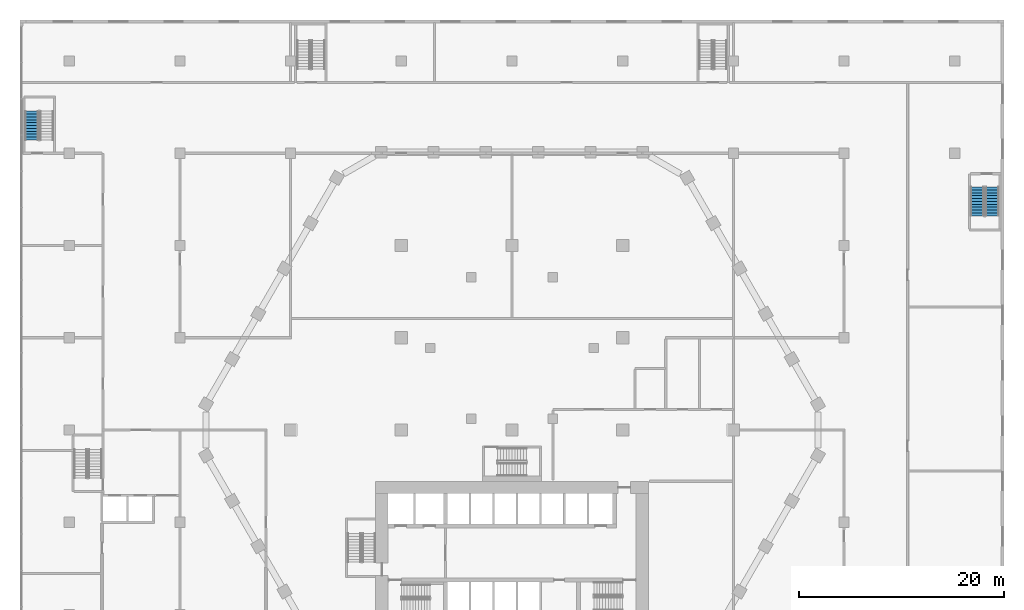
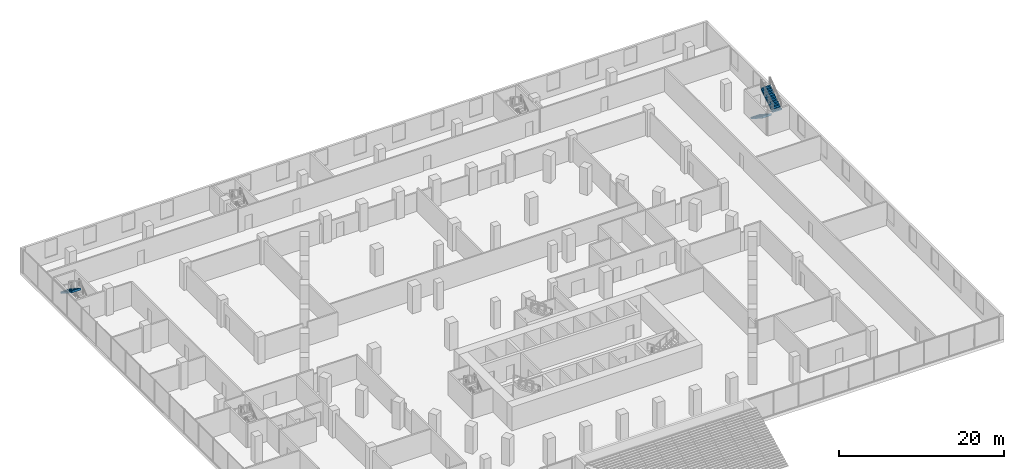
# One storey, part 36 of 45: 3 stair flights, 2 elements without a shape of their own.
"""IFC4 building model written with IfcOpenShell, lengths in metres."""

from ifc_helpers import new_model, si_unit, direction, frame, origin, place, context, subcontext, project, spatial, triangles, material, type_object, element, aggregate, save


model = new_model("IFC4")

# Units and contexts
model_context = context("Model", 3, precision=1e-05, world=origin(), true_north=direction((0.0, 1.0)))
body_context = subcontext(model_context, "Body", "Model", "MODEL_VIEW")
ifc_project = project(units=[si_unit("LENGTHUNIT", "METRE"), si_unit("AREAUNIT", "SQUARE_METRE"), si_unit("VOLUMEUNIT", "CUBIC_METRE"), si_unit("PLANEANGLEUNIT", "RADIAN"), si_unit("MASSUNIT", "GRAM", prefix="KILO")], contexts=[model_context])

# Site, building, storey
site_placement = place(None, origin())
site = spatial("IfcSite", under=ifc_project, at=site_placement, CompositionType="ELEMENT")
building_placement = place(site_placement, origin())
building = spatial("IfcBuilding", under=site, at=building_placement, Name="Beryl Residences", CompositionType="ELEMENT")
storey_placement = place(building_placement, frame((0.0, 0.0, 5.0)))
storey = spatial("IfcBuildingStorey", under=building, at=storey_placement, Name="L01", CompositionType="ELEMENT", Elevation=5.0)

# Stair, stair flight
ifc_material_1 = material(Name="Concrete C40/50", Category="concrete")
stair_type = type_object("IfcStairType", Name="ST1 protected exit stair, half-turn, 1300 mm flights", PredefinedType="HALF_TURN_STAIR", material=ifc_material_1)
stair_1_placement = place(storey_placement, origin())
stair_1 = element("IfcStair", 1, at=stair_1_placement, inside=storey, type_object=stair_type, Name="L01 Podium exit stair 3", PredefinedType="HALF_TURN_STAIR")
ifc_material_2 = material(Name="Concrete C40/50", Category="concrete")
stair_flight_type = type_object("IfcStairFlightType", Name="SF1 stair flight 1300 mm", PredefinedType="STRAIGHT", material=ifc_material_2)
stair_flight_1_placement = place(storey_placement, frame((-46.85009765625, 31.10009765625, 2.0), z_axis=(0.0, 0.0, 1.0), x_axis=(0.0, -1.0, 0.0)))
stair_flight_1 = element("IfcStairFlight", 2, at=stair_flight_1_placement, type_object=stair_flight_type, Name="PS-3 flight 2", NumberOfRisers=11, NumberOfTreads=10, PredefinedType="STRAIGHT", RiserHeight=0.181818182, TreadLength=0.28, context=body_context, shape_type="Tessellation", body=[
    triangles([(0.0, -0.64990234375, 0.0), (0.0, -0.324951171875, 0.0), (0.0, 0.0, 0.0), (0.0, 0.324951171875, 0.0), (0.0, 0.64990234375, 0.0), (0.0, -0.64990234375, 0.181884765625), (0.0, -0.324951171875, 0.181884765625), (0.0, 0.0, 0.181884765625), (0.0, 0.324951171875, 0.181884765625), (0.0, 0.64990234375, 0.181884765625), (0.280029296875, -0.64990234375, 0.181884765625), (0.280029296875, -0.324951171875, 0.181884765625), (0.280029296875, 0.0, 0.181884765625), (0.280029296875, 0.324951171875, 0.181884765625), (0.280029296875, 0.64990234375, 0.181884765625), (0.280029296875, -0.64990234375, 0.363525390625), (0.280029296875, -0.324951171875, 0.363525390625), (0.280029296875, 0.0, 0.363525390625), (0.280029296875, 0.324951171875, 0.363525390625), (0.280029296875, 0.64990234375, 0.363525390625), (0.56005859375, -0.64990234375, 0.363525390625), (0.56005859375, -0.324951171875, 0.363525390625), (0.56005859375, 0.0, 0.363525390625), (0.56005859375, 0.324951171875, 0.363525390625), (0.56005859375, 0.64990234375, 0.363525390625), (0.56005859375, -0.64990234375, 0.54541015625), (0.56005859375, -0.324951171875, 0.54541015625), (0.56005859375, 0.0, 0.54541015625), (0.56005859375, 0.324951171875, 0.54541015625), (0.56005859375, 0.64990234375, 0.54541015625), (0.840087890625, -0.64990234375, 0.54541015625), (0.840087890625, -0.324951171875, 0.54541015625), (0.840087890625, 0.0, 0.54541015625), (0.840087890625, 0.324951171875, 0.54541015625), (0.840087890625, 0.64990234375, 0.54541015625), (0.840087890625, -0.64990234375, 0.727294921875), (0.840087890625, -0.324951171875, 0.727294921875), (0.840087890625, 0.0, 0.727294921875), (0.840087890625, 0.324951171875, 0.727294921875), (0.840087890625, 0.64990234375, 0.727294921875), (1.1201171875, -0.64990234375, 0.727294921875), (1.1201171875, -0.324951171875, 0.727294921875), (1.1201171875, 0.0, 0.727294921875), (1.1201171875, 0.324951171875, 0.727294921875), (1.1201171875, 0.64990234375, 0.727294921875), (1.1201171875, -0.64990234375, 0.9091796875), (1.1201171875, -0.324951171875, 0.9091796875), (1.1201171875, 0.0, 0.9091796875), (1.1201171875, 0.324951171875, 0.9091796875), (1.1201171875, 0.64990234375, 0.9091796875), (1.39990234375, -0.64990234375, 0.9091796875), (1.39990234375, -0.324951171875, 0.9091796875), (1.39990234375, 0.0, 0.9091796875), (1.39990234375, 0.324951171875, 0.9091796875), (1.39990234375, 0.64990234375, 0.9091796875), (1.39990234375, -0.64990234375, 1.0908203125), (1.39990234375, -0.324951171875, 1.0908203125), (1.39990234375, 0.0, 1.0908203125), (1.39990234375, 0.324951171875, 1.0908203125), (1.39990234375, 0.64990234375, 1.0908203125), (1.679931640625, -0.64990234375, 1.0908203125), (1.679931640625, -0.324951171875, 1.0908203125), (1.679931640625, 0.0, 1.0908203125), (1.679931640625, 0.324951171875, 1.0908203125), (1.679931640625, 0.64990234375, 1.0908203125), (1.679931640625, -0.64990234375, 1.272705078125), (1.679931640625, -0.324951171875, 1.272705078125), (1.679931640625, 0.0, 1.272705078125), (1.679931640625, 0.324951171875, 1.272705078125), (1.679931640625, 0.64990234375, 1.272705078125), (1.9599609375, -0.64990234375, 1.272705078125), (1.9599609375, -0.324951171875, 1.272705078125), (1.9599609375, 0.0, 1.272705078125), (1.9599609375, 0.324951171875, 1.272705078125), (1.9599609375, 0.64990234375, 1.272705078125), (1.9599609375, -0.64990234375, 1.45458984375), (1.9599609375, -0.324951171875, 1.45458984375), (1.9599609375, 0.0, 1.45458984375), (1.9599609375, 0.324951171875, 1.45458984375), (1.9599609375, 0.64990234375, 1.45458984375), (2.239990234375, -0.64990234375, 1.45458984375), (2.239990234375, -0.324951171875, 1.45458984375), (2.239990234375, 0.0, 1.45458984375), (2.239990234375, 0.324951171875, 1.45458984375), (2.239990234375, 0.64990234375, 1.45458984375), (2.239990234375, -0.64990234375, 1.636474609375), (2.239990234375, -0.324951171875, 1.636474609375), (2.239990234375, 0.0, 1.636474609375), (2.239990234375, 0.324951171875, 1.636474609375), (2.239990234375, 0.64990234375, 1.636474609375), (2.52001953125, -0.64990234375, 1.636474609375), (2.52001953125, -0.324951171875, 1.636474609375), (2.52001953125, 0.0, 1.636474609375), (2.52001953125, 0.324951171875, 1.636474609375), (2.52001953125, 0.64990234375, 1.636474609375), (2.52001953125, -0.64990234375, 1.818115234375), (2.52001953125, -0.324951171875, 1.818115234375), (2.52001953125, 0.0, 1.818115234375), (2.52001953125, 0.324951171875, 1.818115234375), (2.52001953125, 0.64990234375, 1.818115234375), (2.800048828125, -0.64990234375, 1.818115234375), (2.800048828125, -0.324951171875, 1.818115234375), (2.800048828125, 0.0, 1.818115234375), (2.800048828125, 0.324951171875, 1.818115234375), (2.800048828125, 0.64990234375, 1.818115234375), (2.800048828125, -0.64990234375, 2.0), (2.800048828125, -0.324951171875, 2.0), (2.800048828125, 0.0, 2.0), (2.800048828125, 0.324951171875, 2.0), (2.800048828125, 0.64990234375, 2.0), (2.801025390625, -0.64990234375, 2.0), (2.801025390625, -0.324951171875, 2.0), (2.801025390625, 0.0, 2.0), (2.801025390625, 0.324951171875, 2.0), (2.801025390625, 0.64990234375, 2.0), (2.801025390625, -0.64990234375, 1.675048828125), (2.801025390625, -0.324951171875, 1.675048828125), (2.801025390625, 0.0, 1.675048828125), (2.801025390625, 0.324951171875, 1.675048828125), (2.801025390625, 0.64990234375, 1.675048828125), (0.221435546875, -0.64990234375, 0.0), (0.221435546875, -0.324951171875, 0.0), (0.221435546875, 0.0, 0.0), (0.221435546875, 0.324951171875, 0.0), (0.221435546875, 0.64990234375, 0.0)], [[1, 6, 7], [1, 7, 2], [2, 7, 8], [2, 8, 3], [3, 8, 9], [3, 9, 4], [4, 9, 10], [4, 10, 5], [6, 11, 12], [6, 12, 7], [7, 12, 13], [7, 13, 8], [8, 13, 14], [8, 14, 9], [9, 14, 15], [9, 15, 10], [11, 16, 17], [11, 17, 12], [12, 17, 18], [12, 18, 13], [13, 18, 19], [13, 19, 14], [14, 19, 20], [14, 20, 15], [16, 21, 22], [16, 22, 17], [17, 22, 23], [17, 23, 18], [18, 23, 24], [18, 24, 19], [19, 24, 25], [19, 25, 20], [21, 26, 27], [21, 27, 22], [22, 27, 28], [22, 28, 23], [23, 28, 29], [23, 29, 24], [24, 29, 30], [24, 30, 25], [26, 31, 32], [26, 32, 27], [27, 32, 33], [27, 33, 28], [28, 33, 34], [28, 34, 29], [29, 34, 35], [29, 35, 30], [31, 36, 37], [31, 37, 32], [32, 37, 38], [32, 38, 33], [33, 38, 39], [33, 39, 34], [34, 39, 40], [34, 40, 35], [36, 41, 42], [36, 42, 37], [37, 42, 43], [37, 43, 38], [38, 43, 44], [38, 44, 39], [39, 44, 45], [39, 45, 40], [41, 46, 47], [41, 47, 42], [42, 47, 48], [42, 48, 43], [43, 48, 49], [43, 49, 44], [44, 49, 50], [44, 50, 45], [46, 51, 52], [46, 52, 47], [47, 52, 53], [47, 53, 48], [48, 53, 54], [48, 54, 49], [49, 54, 55], [49, 55, 50], [51, 56, 57], [51, 57, 52], [52, 57, 58], [52, 58, 53], [53, 58, 59], [53, 59, 54], [54, 59, 60], [54, 60, 55], [56, 61, 62], [56, 62, 57], [57, 62, 63], [57, 63, 58], [58, 63, 64], [58, 64, 59], [59, 64, 65], [59, 65, 60], [61, 66, 67], [61, 67, 62], [62, 67, 68], [62, 68, 63], [63, 68, 69], [63, 69, 64], [64, 69, 70], [64, 70, 65], [66, 71, 72], [66, 72, 67], [67, 72, 73], [67, 73, 68], [68, 73, 74], [68, 74, 69], [69, 74, 75], [69, 75, 70], [71, 76, 77], [71, 77, 72], [72, 77, 78], [72, 78, 73], [73, 78, 79], [73, 79, 74], [74, 79, 80], [74, 80, 75], [76, 81, 82], [76, 82, 77], [77, 82, 83], [77, 83, 78], [78, 83, 84], [78, 84, 79], [79, 84, 85], [79, 85, 80], [81, 86, 87], [81, 87, 82], [82, 87, 88], [82, 88, 83], [83, 88, 89], [83, 89, 84], [84, 89, 90], [84, 90, 85], [86, 91, 92], [86, 92, 87], [87, 92, 93], [87, 93, 88], [88, 93, 94], [88, 94, 89], [89, 94, 95], [89, 95, 90], [91, 96, 97], [91, 97, 92], [92, 97, 98], [92, 98, 93], [93, 98, 99], [93, 99, 94], [94, 99, 100], [94, 100, 95], [96, 101, 102], [96, 102, 97], [97, 102, 103], [97, 103, 98], [98, 103, 104], [98, 104, 99], [99, 104, 105], [99, 105, 100], [101, 106, 107], [101, 107, 102], [102, 107, 108], [102, 108, 103], [103, 108, 109], [103, 109, 104], [104, 109, 110], [104, 110, 105], [106, 111, 112], [106, 112, 107], [107, 112, 113], [107, 113, 108], [108, 113, 114], [108, 114, 109], [109, 114, 115], [109, 115, 110], [111, 116, 117], [111, 117, 112], [112, 117, 118], [112, 118, 113], [113, 118, 119], [113, 119, 114], [114, 119, 120], [114, 120, 115], [116, 121, 122], [116, 122, 117], [117, 122, 123], [117, 123, 118], [118, 123, 124], [118, 124, 119], [119, 124, 125], [119, 125, 120], [121, 1, 2], [121, 2, 122], [122, 2, 3], [122, 3, 123], [123, 3, 4], [123, 4, 124], [124, 4, 5], [124, 5, 125], [1, 121, 116], [5, 120, 125], [116, 111, 106], [120, 110, 115], [116, 106, 101], [120, 105, 110], [116, 101, 96], [120, 100, 105], [116, 96, 91], [120, 95, 100], [91, 86, 81], [95, 85, 90], [116, 91, 81], [120, 85, 95], [81, 76, 71], [85, 75, 80], [116, 81, 71], [120, 75, 85], [71, 66, 61], [75, 65, 70], [116, 71, 61], [120, 65, 75], [61, 56, 51], [65, 55, 60], [116, 61, 51], [120, 55, 65], [51, 46, 41], [55, 45, 50], [116, 51, 41], [120, 45, 55], [41, 36, 31], [45, 35, 40], [116, 41, 31], [120, 35, 45], [31, 26, 21], [35, 25, 30], [116, 31, 21], [120, 25, 35], [1, 116, 21], [5, 25, 120], [21, 16, 11], [25, 15, 20], [1, 21, 11], [5, 15, 25], [11, 6, 1], [15, 5, 10]], closed=True),
])
aggregate(stair_1, [stair_flight_1])

# Stair, stair flights
stair_2_placement = place(storey_placement, origin())
stair_2 = element("IfcStair", 3, at=stair_2_placement, inside=storey, type_object=stair_type, Name="L01 Podium exit stair 5", PredefinedType="HALF_TURN_STAIR")
stair_flight_2_placement = place(storey_placement, frame((45.39990234375, 23.699951171875, 0.0), z_axis=(0.0, 0.0, 1.0), x_axis=(0.0, -1.0, 0.0)))
stair_flight_2 = element("IfcStairFlight", 4, at=stair_flight_2_placement, type_object=stair_flight_type, Name="PS-5 flight 1", NumberOfRisers=11, NumberOfTreads=10, PredefinedType="STRAIGHT", RiserHeight=0.181818182, TreadLength=0.28, context=body_context, shape_type="Tessellation", body=[
    triangles([(0.0, -0.64990234375, 0.0), (0.0, -0.324951171875, 0.0), (0.0, 0.0, 0.0), (0.0, 0.324951171875, 0.0), (0.0, 0.64990234375, 0.0), (0.0, -0.64990234375, 0.181884765625), (0.0, -0.324951171875, 0.181884765625), (0.0, 0.0, 0.181884765625), (0.0, 0.324951171875, 0.181884765625), (0.0, 0.64990234375, 0.181884765625), (0.280029296875, -0.64990234375, 0.181884765625), (0.280029296875, -0.324951171875, 0.181884765625), (0.280029296875, 0.0, 0.181884765625), (0.280029296875, 0.324951171875, 0.181884765625), (0.280029296875, 0.64990234375, 0.181884765625), (0.280029296875, -0.64990234375, 0.363525390625), (0.280029296875, -0.324951171875, 0.363525390625), (0.280029296875, 0.0, 0.363525390625), (0.280029296875, 0.324951171875, 0.363525390625), (0.280029296875, 0.64990234375, 0.363525390625), (0.56005859375, -0.64990234375, 0.363525390625), (0.56005859375, -0.324951171875, 0.363525390625), (0.56005859375, 0.0, 0.363525390625), (0.56005859375, 0.324951171875, 0.363525390625), (0.56005859375, 0.64990234375, 0.363525390625), (0.56005859375, -0.64990234375, 0.54541015625), (0.56005859375, -0.324951171875, 0.54541015625), (0.56005859375, 0.0, 0.54541015625), (0.56005859375, 0.324951171875, 0.54541015625), (0.56005859375, 0.64990234375, 0.54541015625), (0.840087890625, -0.64990234375, 0.54541015625), (0.840087890625, -0.324951171875, 0.54541015625), (0.840087890625, 0.0, 0.54541015625), (0.840087890625, 0.324951171875, 0.54541015625), (0.840087890625, 0.64990234375, 0.54541015625), (0.840087890625, -0.64990234375, 0.727294921875), (0.840087890625, -0.324951171875, 0.727294921875), (0.840087890625, 0.0, 0.727294921875), (0.840087890625, 0.324951171875, 0.727294921875), (0.840087890625, 0.64990234375, 0.727294921875), (1.1201171875, -0.64990234375, 0.727294921875), (1.1201171875, -0.324951171875, 0.727294921875), (1.1201171875, 0.0, 0.727294921875), (1.1201171875, 0.324951171875, 0.727294921875), (1.1201171875, 0.64990234375, 0.727294921875), (1.1201171875, -0.64990234375, 0.9091796875), (1.1201171875, -0.324951171875, 0.9091796875), (1.1201171875, 0.0, 0.9091796875), (1.1201171875, 0.324951171875, 0.9091796875), (1.1201171875, 0.64990234375, 0.9091796875), (1.39990234375, -0.64990234375, 0.9091796875), (1.39990234375, -0.324951171875, 0.9091796875), (1.39990234375, 0.0, 0.9091796875), (1.39990234375, 0.324951171875, 0.9091796875), (1.39990234375, 0.64990234375, 0.9091796875), (1.39990234375, -0.64990234375, 1.0908203125), (1.39990234375, -0.324951171875, 1.0908203125), (1.39990234375, 0.0, 1.0908203125), (1.39990234375, 0.324951171875, 1.0908203125), (1.39990234375, 0.64990234375, 1.0908203125), (1.679931640625, -0.64990234375, 1.0908203125), (1.679931640625, -0.324951171875, 1.0908203125), (1.679931640625, 0.0, 1.0908203125), (1.679931640625, 0.324951171875, 1.0908203125), (1.679931640625, 0.64990234375, 1.0908203125), (1.679931640625, -0.64990234375, 1.272705078125), (1.679931640625, -0.324951171875, 1.272705078125), (1.679931640625, 0.0, 1.272705078125), (1.679931640625, 0.324951171875, 1.272705078125), (1.679931640625, 0.64990234375, 1.272705078125), (1.9599609375, -0.64990234375, 1.272705078125), (1.9599609375, -0.324951171875, 1.272705078125), (1.9599609375, 0.0, 1.272705078125), (1.9599609375, 0.324951171875, 1.272705078125), (1.9599609375, 0.64990234375, 1.272705078125), (1.9599609375, -0.64990234375, 1.45458984375), (1.9599609375, -0.324951171875, 1.45458984375), (1.9599609375, 0.0, 1.45458984375), (1.9599609375, 0.324951171875, 1.45458984375), (1.9599609375, 0.64990234375, 1.45458984375), (2.239990234375, -0.64990234375, 1.45458984375), (2.239990234375, -0.324951171875, 1.45458984375), (2.239990234375, 0.0, 1.45458984375), (2.239990234375, 0.324951171875, 1.45458984375), (2.239990234375, 0.64990234375, 1.45458984375), (2.239990234375, -0.64990234375, 1.636474609375), (2.239990234375, -0.324951171875, 1.636474609375), (2.239990234375, 0.0, 1.636474609375), (2.239990234375, 0.324951171875, 1.636474609375), (2.239990234375, 0.64990234375, 1.636474609375), (2.52001953125, -0.64990234375, 1.636474609375), (2.52001953125, -0.324951171875, 1.636474609375), (2.52001953125, 0.0, 1.636474609375), (2.52001953125, 0.324951171875, 1.636474609375), (2.52001953125, 0.64990234375, 1.636474609375), (2.52001953125, -0.64990234375, 1.818115234375), (2.52001953125, -0.324951171875, 1.818115234375), (2.52001953125, 0.0, 1.818115234375), (2.52001953125, 0.324951171875, 1.818115234375), (2.52001953125, 0.64990234375, 1.818115234375), (2.800048828125, -0.64990234375, 1.818115234375), (2.800048828125, -0.324951171875, 1.818115234375), (2.800048828125, 0.0, 1.818115234375), (2.800048828125, 0.324951171875, 1.818115234375), (2.800048828125, 0.64990234375, 1.818115234375), (2.800048828125, -0.64990234375, 2.0), (2.800048828125, -0.324951171875, 2.0), (2.800048828125, 0.0, 2.0), (2.800048828125, 0.324951171875, 2.0), (2.800048828125, 0.64990234375, 2.0), (2.801025390625, -0.64990234375, 2.0), (2.801025390625, -0.324951171875, 2.0), (2.801025390625, 0.0, 2.0), (2.801025390625, 0.324951171875, 2.0), (2.801025390625, 0.64990234375, 2.0), (2.801025390625, -0.64990234375, 1.675048828125), (2.801025390625, -0.324951171875, 1.675048828125), (2.801025390625, 0.0, 1.675048828125), (2.801025390625, 0.324951171875, 1.675048828125), (2.801025390625, 0.64990234375, 1.675048828125), (0.221435546875, -0.64990234375, 0.0), (0.221435546875, -0.324951171875, 0.0), (0.221435546875, 0.0, 0.0), (0.221435546875, 0.324951171875, 0.0), (0.221435546875, 0.64990234375, 0.0)], [[1, 6, 7], [1, 7, 2], [2, 7, 8], [2, 8, 3], [3, 8, 9], [3, 9, 4], [4, 9, 10], [4, 10, 5], [6, 11, 12], [6, 12, 7], [7, 12, 13], [7, 13, 8], [8, 13, 14], [8, 14, 9], [9, 14, 15], [9, 15, 10], [11, 16, 17], [11, 17, 12], [12, 17, 18], [12, 18, 13], [13, 18, 19], [13, 19, 14], [14, 19, 20], [14, 20, 15], [16, 21, 22], [16, 22, 17], [17, 22, 23], [17, 23, 18], [18, 23, 24], [18, 24, 19], [19, 24, 25], [19, 25, 20], [21, 26, 27], [21, 27, 22], [22, 27, 28], [22, 28, 23], [23, 28, 29], [23, 29, 24], [24, 29, 30], [24, 30, 25], [26, 31, 32], [26, 32, 27], [27, 32, 33], [27, 33, 28], [28, 33, 34], [28, 34, 29], [29, 34, 35], [29, 35, 30], [31, 36, 37], [31, 37, 32], [32, 37, 38], [32, 38, 33], [33, 38, 39], [33, 39, 34], [34, 39, 40], [34, 40, 35], [36, 41, 42], [36, 42, 37], [37, 42, 43], [37, 43, 38], [38, 43, 44], [38, 44, 39], [39, 44, 45], [39, 45, 40], [41, 46, 47], [41, 47, 42], [42, 47, 48], [42, 48, 43], [43, 48, 49], [43, 49, 44], [44, 49, 50], [44, 50, 45], [46, 51, 52], [46, 52, 47], [47, 52, 53], [47, 53, 48], [48, 53, 54], [48, 54, 49], [49, 54, 55], [49, 55, 50], [51, 56, 57], [51, 57, 52], [52, 57, 58], [52, 58, 53], [53, 58, 59], [53, 59, 54], [54, 59, 60], [54, 60, 55], [56, 61, 62], [56, 62, 57], [57, 62, 63], [57, 63, 58], [58, 63, 64], [58, 64, 59], [59, 64, 65], [59, 65, 60], [61, 66, 67], [61, 67, 62], [62, 67, 68], [62, 68, 63], [63, 68, 69], [63, 69, 64], [64, 69, 70], [64, 70, 65], [66, 71, 72], [66, 72, 67], [67, 72, 73], [67, 73, 68], [68, 73, 74], [68, 74, 69], [69, 74, 75], [69, 75, 70], [71, 76, 77], [71, 77, 72], [72, 77, 78], [72, 78, 73], [73, 78, 79], [73, 79, 74], [74, 79, 80], [74, 80, 75], [76, 81, 82], [76, 82, 77], [77, 82, 83], [77, 83, 78], [78, 83, 84], [78, 84, 79], [79, 84, 85], [79, 85, 80], [81, 86, 87], [81, 87, 82], [82, 87, 88], [82, 88, 83], [83, 88, 89], [83, 89, 84], [84, 89, 90], [84, 90, 85], [86, 91, 92], [86, 92, 87], [87, 92, 93], [87, 93, 88], [88, 93, 94], [88, 94, 89], [89, 94, 95], [89, 95, 90], [91, 96, 97], [91, 97, 92], [92, 97, 98], [92, 98, 93], [93, 98, 99], [93, 99, 94], [94, 99, 100], [94, 100, 95], [96, 101, 102], [96, 102, 97], [97, 102, 103], [97, 103, 98], [98, 103, 104], [98, 104, 99], [99, 104, 105], [99, 105, 100], [101, 106, 107], [101, 107, 102], [102, 107, 108], [102, 108, 103], [103, 108, 109], [103, 109, 104], [104, 109, 110], [104, 110, 105], [106, 111, 112], [106, 112, 107], [107, 112, 113], [107, 113, 108], [108, 113, 114], [108, 114, 109], [109, 114, 115], [109, 115, 110], [111, 116, 117], [111, 117, 112], [112, 117, 118], [112, 118, 113], [113, 118, 119], [113, 119, 114], [114, 119, 120], [114, 120, 115], [116, 121, 122], [116, 122, 117], [117, 122, 123], [117, 123, 118], [118, 123, 124], [118, 124, 119], [119, 124, 125], [119, 125, 120], [121, 1, 2], [121, 2, 122], [122, 2, 3], [122, 3, 123], [123, 3, 4], [123, 4, 124], [124, 4, 5], [124, 5, 125], [1, 121, 116], [5, 120, 125], [116, 111, 106], [120, 110, 115], [116, 106, 101], [120, 105, 110], [116, 101, 96], [120, 100, 105], [116, 96, 91], [120, 95, 100], [91, 86, 81], [95, 85, 90], [116, 91, 81], [120, 85, 95], [81, 76, 71], [85, 75, 80], [116, 81, 71], [120, 75, 85], [71, 66, 61], [75, 65, 70], [116, 71, 61], [120, 65, 75], [61, 56, 51], [65, 55, 60], [116, 61, 51], [120, 55, 65], [51, 46, 41], [55, 45, 50], [116, 51, 41], [120, 45, 55], [41, 36, 31], [45, 35, 40], [116, 41, 31], [120, 35, 45], [31, 26, 21], [35, 25, 30], [116, 31, 21], [120, 25, 35], [1, 116, 21], [5, 25, 120], [21, 16, 11], [25, 15, 20], [1, 21, 11], [5, 15, 25], [11, 6, 1], [15, 5, 10]], closed=True),
])
stair_flight_3_placement = place(storey_placement, frame((46.85009765625, 20.89990234375, 2.0), z_axis=(0.0, 0.0, 1.0), x_axis=(0.0, 1.0, 0.0)))
stair_flight_3 = element("IfcStairFlight", 5, at=stair_flight_3_placement, type_object=stair_flight_type, Name="PS-5 flight 2", NumberOfRisers=11, NumberOfTreads=10, PredefinedType="STRAIGHT", RiserHeight=0.181818182, TreadLength=0.28, context=body_context, shape_type="Tessellation", body=[
    triangles([(0.0, -0.64990234375, 0.0), (0.0, -0.324951171875, 0.0), (0.0, 0.0, 0.0), (0.0, 0.324951171875, 0.0), (0.0, 0.64990234375, 0.0), (0.0, -0.64990234375, 0.181884765625), (0.0, -0.324951171875, 0.181884765625), (0.0, 0.0, 0.181884765625), (0.0, 0.324951171875, 0.181884765625), (0.0, 0.64990234375, 0.181884765625), (0.280029296875, -0.64990234375, 0.181884765625), (0.280029296875, -0.324951171875, 0.181884765625), (0.280029296875, 0.0, 0.181884765625), (0.280029296875, 0.324951171875, 0.181884765625), (0.280029296875, 0.64990234375, 0.181884765625), (0.280029296875, -0.64990234375, 0.363525390625), (0.280029296875, -0.324951171875, 0.363525390625), (0.280029296875, 0.0, 0.363525390625), (0.280029296875, 0.324951171875, 0.363525390625), (0.280029296875, 0.64990234375, 0.363525390625), (0.56005859375, -0.64990234375, 0.363525390625), (0.56005859375, -0.324951171875, 0.363525390625), (0.56005859375, 0.0, 0.363525390625), (0.56005859375, 0.324951171875, 0.363525390625), (0.56005859375, 0.64990234375, 0.363525390625), (0.56005859375, -0.64990234375, 0.54541015625), (0.56005859375, -0.324951171875, 0.54541015625), (0.56005859375, 0.0, 0.54541015625), (0.56005859375, 0.324951171875, 0.54541015625), (0.56005859375, 0.64990234375, 0.54541015625), (0.840087890625, -0.64990234375, 0.54541015625), (0.840087890625, -0.324951171875, 0.54541015625), (0.840087890625, 0.0, 0.54541015625), (0.840087890625, 0.324951171875, 0.54541015625), (0.840087890625, 0.64990234375, 0.54541015625), (0.840087890625, -0.64990234375, 0.727294921875), (0.840087890625, -0.324951171875, 0.727294921875), (0.840087890625, 0.0, 0.727294921875), (0.840087890625, 0.324951171875, 0.727294921875), (0.840087890625, 0.64990234375, 0.727294921875), (1.1201171875, -0.64990234375, 0.727294921875), (1.1201171875, -0.324951171875, 0.727294921875), (1.1201171875, 0.0, 0.727294921875), (1.1201171875, 0.324951171875, 0.727294921875), (1.1201171875, 0.64990234375, 0.727294921875), (1.1201171875, -0.64990234375, 0.9091796875), (1.1201171875, -0.324951171875, 0.9091796875), (1.1201171875, 0.0, 0.9091796875), (1.1201171875, 0.324951171875, 0.9091796875), (1.1201171875, 0.64990234375, 0.9091796875), (1.39990234375, -0.64990234375, 0.9091796875), (1.39990234375, -0.324951171875, 0.9091796875), (1.39990234375, 0.0, 0.9091796875), (1.39990234375, 0.324951171875, 0.9091796875), (1.39990234375, 0.64990234375, 0.9091796875), (1.39990234375, -0.64990234375, 1.0908203125), (1.39990234375, -0.324951171875, 1.0908203125), (1.39990234375, 0.0, 1.0908203125), (1.39990234375, 0.324951171875, 1.0908203125), (1.39990234375, 0.64990234375, 1.0908203125), (1.679931640625, -0.64990234375, 1.0908203125), (1.679931640625, -0.324951171875, 1.0908203125), (1.679931640625, 0.0, 1.0908203125), (1.679931640625, 0.324951171875, 1.0908203125), (1.679931640625, 0.64990234375, 1.0908203125), (1.679931640625, -0.64990234375, 1.272705078125), (1.679931640625, -0.324951171875, 1.272705078125), (1.679931640625, 0.0, 1.272705078125), (1.679931640625, 0.324951171875, 1.272705078125), (1.679931640625, 0.64990234375, 1.272705078125), (1.9599609375, -0.64990234375, 1.272705078125), (1.9599609375, -0.324951171875, 1.272705078125), (1.9599609375, 0.0, 1.272705078125), (1.9599609375, 0.324951171875, 1.272705078125), (1.9599609375, 0.64990234375, 1.272705078125), (1.9599609375, -0.64990234375, 1.45458984375), (1.9599609375, -0.324951171875, 1.45458984375), (1.9599609375, 0.0, 1.45458984375), (1.9599609375, 0.324951171875, 1.45458984375), (1.9599609375, 0.64990234375, 1.45458984375), (2.239990234375, -0.64990234375, 1.45458984375), (2.239990234375, -0.324951171875, 1.45458984375), (2.239990234375, 0.0, 1.45458984375), (2.239990234375, 0.324951171875, 1.45458984375), (2.239990234375, 0.64990234375, 1.45458984375), (2.239990234375, -0.64990234375, 1.636474609375), (2.239990234375, -0.324951171875, 1.636474609375), (2.239990234375, 0.0, 1.636474609375), (2.239990234375, 0.324951171875, 1.636474609375), (2.239990234375, 0.64990234375, 1.636474609375), (2.52001953125, -0.64990234375, 1.636474609375), (2.52001953125, -0.324951171875, 1.636474609375), (2.52001953125, 0.0, 1.636474609375), (2.52001953125, 0.324951171875, 1.636474609375), (2.52001953125, 0.64990234375, 1.636474609375), (2.52001953125, -0.64990234375, 1.818115234375), (2.52001953125, -0.324951171875, 1.818115234375), (2.52001953125, 0.0, 1.818115234375), (2.52001953125, 0.324951171875, 1.818115234375), (2.52001953125, 0.64990234375, 1.818115234375), (2.800048828125, -0.64990234375, 1.818115234375), (2.800048828125, -0.324951171875, 1.818115234375), (2.800048828125, 0.0, 1.818115234375), (2.800048828125, 0.324951171875, 1.818115234375), (2.800048828125, 0.64990234375, 1.818115234375), (2.800048828125, -0.64990234375, 2.0), (2.800048828125, -0.324951171875, 2.0), (2.800048828125, 0.0, 2.0), (2.800048828125, 0.324951171875, 2.0), (2.800048828125, 0.64990234375, 2.0), (2.801025390625, -0.64990234375, 2.0), (2.801025390625, -0.324951171875, 2.0), (2.801025390625, 0.0, 2.0), (2.801025390625, 0.324951171875, 2.0), (2.801025390625, 0.64990234375, 2.0), (2.801025390625, -0.64990234375, 1.675048828125), (2.801025390625, -0.324951171875, 1.675048828125), (2.801025390625, 0.0, 1.675048828125), (2.801025390625, 0.324951171875, 1.675048828125), (2.801025390625, 0.64990234375, 1.675048828125), (0.221435546875, -0.64990234375, 0.0), (0.221435546875, -0.324951171875, 0.0), (0.221435546875, 0.0, 0.0), (0.221435546875, 0.324951171875, 0.0), (0.221435546875, 0.64990234375, 0.0)], [[1, 6, 7], [1, 7, 2], [2, 7, 8], [2, 8, 3], [3, 8, 9], [3, 9, 4], [4, 9, 10], [4, 10, 5], [6, 11, 12], [6, 12, 7], [7, 12, 13], [7, 13, 8], [8, 13, 14], [8, 14, 9], [9, 14, 15], [9, 15, 10], [11, 16, 17], [11, 17, 12], [12, 17, 18], [12, 18, 13], [13, 18, 19], [13, 19, 14], [14, 19, 20], [14, 20, 15], [16, 21, 22], [16, 22, 17], [17, 22, 23], [17, 23, 18], [18, 23, 24], [18, 24, 19], [19, 24, 25], [19, 25, 20], [21, 26, 27], [21, 27, 22], [22, 27, 28], [22, 28, 23], [23, 28, 29], [23, 29, 24], [24, 29, 30], [24, 30, 25], [26, 31, 32], [26, 32, 27], [27, 32, 33], [27, 33, 28], [28, 33, 34], [28, 34, 29], [29, 34, 35], [29, 35, 30], [31, 36, 37], [31, 37, 32], [32, 37, 38], [32, 38, 33], [33, 38, 39], [33, 39, 34], [34, 39, 40], [34, 40, 35], [36, 41, 42], [36, 42, 37], [37, 42, 43], [37, 43, 38], [38, 43, 44], [38, 44, 39], [39, 44, 45], [39, 45, 40], [41, 46, 47], [41, 47, 42], [42, 47, 48], [42, 48, 43], [43, 48, 49], [43, 49, 44], [44, 49, 50], [44, 50, 45], [46, 51, 52], [46, 52, 47], [47, 52, 53], [47, 53, 48], [48, 53, 54], [48, 54, 49], [49, 54, 55], [49, 55, 50], [51, 56, 57], [51, 57, 52], [52, 57, 58], [52, 58, 53], [53, 58, 59], [53, 59, 54], [54, 59, 60], [54, 60, 55], [56, 61, 62], [56, 62, 57], [57, 62, 63], [57, 63, 58], [58, 63, 64], [58, 64, 59], [59, 64, 65], [59, 65, 60], [61, 66, 67], [61, 67, 62], [62, 67, 68], [62, 68, 63], [63, 68, 69], [63, 69, 64], [64, 69, 70], [64, 70, 65], [66, 71, 72], [66, 72, 67], [67, 72, 73], [67, 73, 68], [68, 73, 74], [68, 74, 69], [69, 74, 75], [69, 75, 70], [71, 76, 77], [71, 77, 72], [72, 77, 78], [72, 78, 73], [73, 78, 79], [73, 79, 74], [74, 79, 80], [74, 80, 75], [76, 81, 82], [76, 82, 77], [77, 82, 83], [77, 83, 78], [78, 83, 84], [78, 84, 79], [79, 84, 85], [79, 85, 80], [81, 86, 87], [81, 87, 82], [82, 87, 88], [82, 88, 83], [83, 88, 89], [83, 89, 84], [84, 89, 90], [84, 90, 85], [86, 91, 92], [86, 92, 87], [87, 92, 93], [87, 93, 88], [88, 93, 94], [88, 94, 89], [89, 94, 95], [89, 95, 90], [91, 96, 97], [91, 97, 92], [92, 97, 98], [92, 98, 93], [93, 98, 99], [93, 99, 94], [94, 99, 100], [94, 100, 95], [96, 101, 102], [96, 102, 97], [97, 102, 103], [97, 103, 98], [98, 103, 104], [98, 104, 99], [99, 104, 105], [99, 105, 100], [101, 106, 107], [101, 107, 102], [102, 107, 108], [102, 108, 103], [103, 108, 109], [103, 109, 104], [104, 109, 110], [104, 110, 105], [106, 111, 112], [106, 112, 107], [107, 112, 113], [107, 113, 108], [108, 113, 114], [108, 114, 109], [109, 114, 115], [109, 115, 110], [111, 116, 117], [111, 117, 112], [112, 117, 118], [112, 118, 113], [113, 118, 119], [113, 119, 114], [114, 119, 120], [114, 120, 115], [116, 121, 122], [116, 122, 117], [117, 122, 123], [117, 123, 118], [118, 123, 124], [118, 124, 119], [119, 124, 125], [119, 125, 120], [121, 1, 2], [121, 2, 122], [122, 2, 3], [122, 3, 123], [123, 3, 4], [123, 4, 124], [124, 4, 5], [124, 5, 125], [1, 121, 116], [5, 120, 125], [116, 111, 106], [120, 110, 115], [116, 106, 101], [120, 105, 110], [116, 101, 96], [120, 100, 105], [116, 96, 91], [120, 95, 100], [91, 86, 81], [95, 85, 90], [116, 91, 81], [120, 85, 95], [81, 76, 71], [85, 75, 80], [116, 81, 71], [120, 75, 85], [71, 66, 61], [75, 65, 70], [116, 71, 61], [120, 65, 75], [61, 56, 51], [65, 55, 60], [116, 61, 51], [120, 55, 65], [51, 46, 41], [55, 45, 50], [116, 51, 41], [120, 45, 55], [41, 36, 31], [45, 35, 40], [116, 41, 31], [120, 35, 45], [31, 26, 21], [35, 25, 30], [116, 31, 21], [120, 25, 35], [1, 116, 21], [5, 25, 120], [21, 16, 11], [25, 15, 20], [1, 21, 11], [5, 15, 25], [11, 6, 1], [15, 5, 10]], closed=True),
])
aggregate(stair_2, [stair_flight_2, stair_flight_3])

save(model, "model.ifc")
